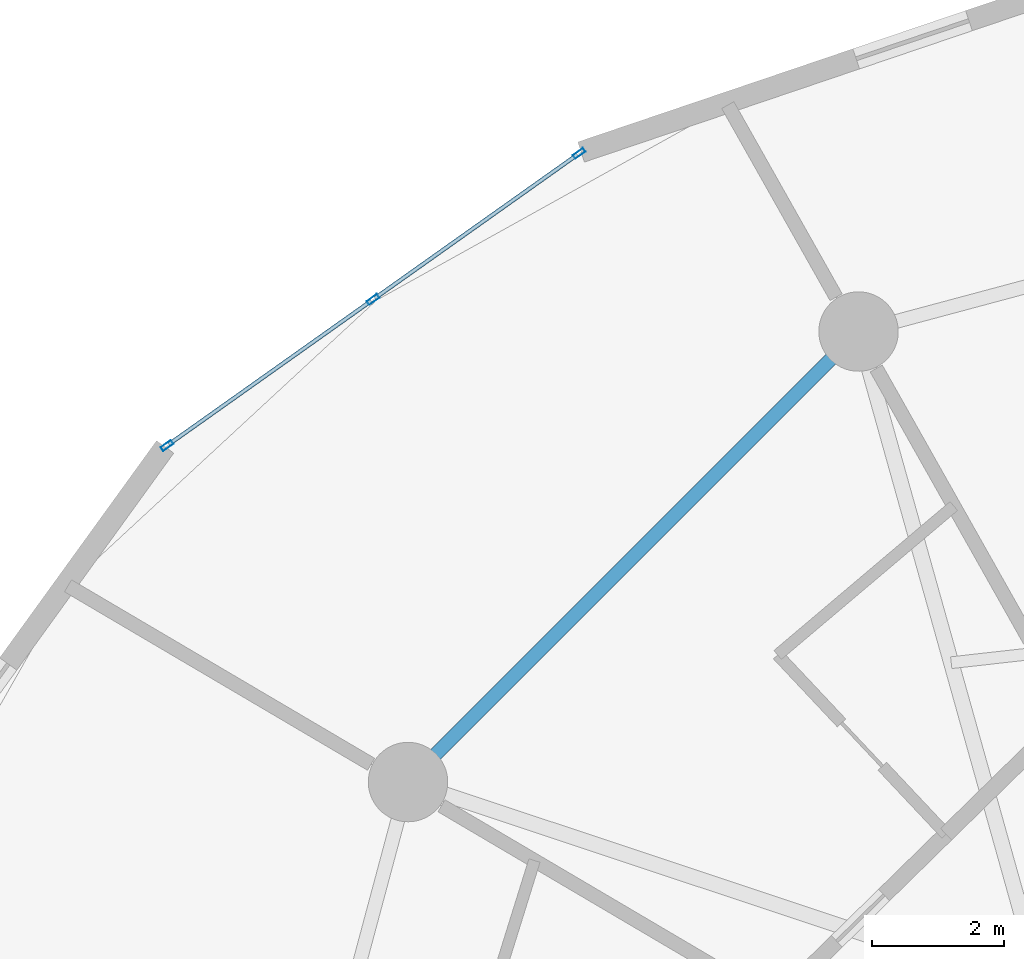
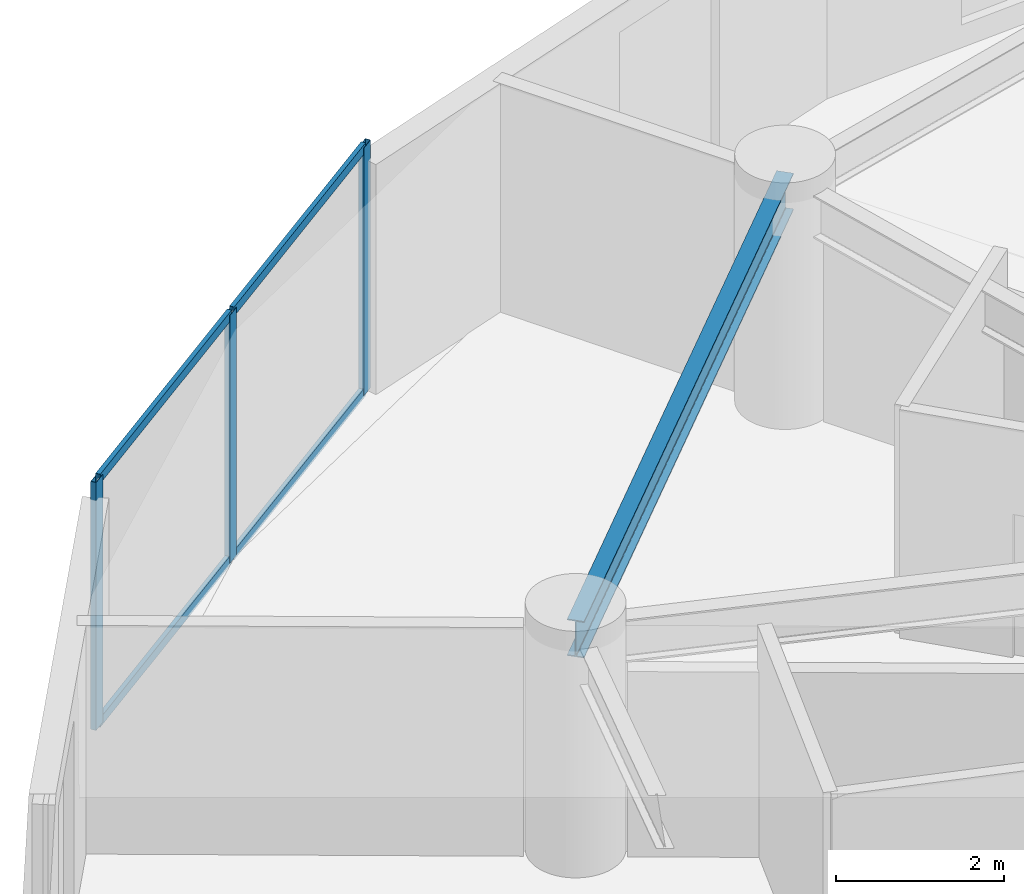
# One storey, part 13 of 26: 7 members, 1 beam, 1 element without a shape of its own.
"""IFC4 building model written with IfcOpenShell, lengths in metres."""

from ifc_helpers import new_model, si_unit, direction, frame, origin, origin_2d, place, context, subcontext, project, spatial, hollow_rectangle, i_section, extrude, source, transform, mapped, material, layer, layer_set, material_profile, profile_set, type_object, element, aggregate, save


model = new_model("IFC4")

# Units and contexts
model_context = context("Model", 3, precision=1e-05, world=origin(), true_north=direction((0.0, 1.0)))
body_context = subcontext(model_context, "Body", "Model", "MODEL_VIEW")
ifc_project = project(units=[si_unit("LENGTHUNIT", "METRE"), si_unit("AREAUNIT", "SQUARE_METRE"), si_unit("VOLUMEUNIT", "CUBIC_METRE"), si_unit("PLANEANGLEUNIT", "RADIAN"), si_unit("MASSUNIT", "GRAM", prefix="KILO")], contexts=[model_context])

# Site, building, storey
site_placement = place(None, origin())
site = spatial("IfcSite", under=ifc_project, at=site_placement, CompositionType="ELEMENT")
building_placement = place(site_placement, origin())
building = spatial("IfcBuilding", under=site, at=building_placement, Name="Solvirekh Grand Hotel", CompositionType="ELEMENT")
storey_placement = place(building_placement, frame((0.0, 0.0, 32.0)))
storey = spatial("IfcBuildingStorey", under=building, at=storey_placement, Name="L06", CompositionType="ELEMENT", Elevation=32.0)

# Beam
ifc_material_1 = material(Name="Steel S355", Category="steel")
ifc_material_profile_1 = material_profile(ifc_material_1, i_section(OverallWidth=0.208984375, OverallDepth=0.532958984375, WebThickness=0.010009765625, FlangeThickness=0.014892578125, FilletRadius=0.013916015625, at=origin_2d()), Name="W530X92")
ifc_profile_set_1 = profile_set([ifc_material_profile_1], Name="Steel S355")
beam_type = type_object("IfcBeamType", Name="Spandrel_Ring_W530", PredefinedType="SPANDREL", material=ifc_profile_set_1)
beam_placement = place(storey_placement, frame((-9.300048828125, 16.10791015625, 3.073974609375), z_axis=(-0.707106781187, -0.707106781187, 0.0), x_axis=(0.707106781187, -0.707106781187, 0.0)))
element("IfcBeam", 1, at=beam_placement, inside=storey, type_object=beam_type, Name="L06 perimeter spandrel beam 5", PredefinedType="SPANDREL", context=body_context, shape_type="SweptSolid", body=[
    extrude(i_section(OverallWidth=0.208984375, OverallDepth=0.532958984375, WebThickness=0.010009765625, FlangeThickness=0.014892578125, FilletRadius=0.013916015625, at=origin_2d()), origin(), (0.0, 0.0, 1.0), 9.627685546875),
])

# Curtain wall, members
ifc_material_2 = material(Name="Anodized Bronze Aluminium 6063-T6", Category="aluminium")
ifc_layer = layer(ifc_material_2, 0.18994140625)
ifc_layer_set = layer_set([ifc_layer], Name="Anodized Bronze Aluminium 6063-T6")
curtain_wall_type = type_object("IfcCurtainWallType", Name="CW_Sys2_LowZoneFlushBronzeCW", PredefinedType="NOTDEFINED", material=ifc_layer_set)
curtain_wall_placement = place(storey_placement, origin())
curtain_wall = element("IfcCurtainWall", 2, at=curtain_wall_placement, inside=storey, type_object=curtain_wall_type, Name="L06 unitised bronze-glass curtain wall CW-L06-C08", PredefinedType="NOTDEFINED")
ifc_material_profile_2 = material_profile(ifc_material_2, hollow_rectangle(XDim=0.070068359375, YDim=0.18994140625, WallThickness=0.0048828125, at=origin_2d()), Name="ALU RHS 190X70X5")
ifc_profile_set_2 = profile_set([ifc_material_profile_2], Name="Anodized Bronze Aluminium 6063-T6")
member_type_1 = type_object("IfcMemberType", Name="CWMullion_Sys2", PredefinedType="MULLION", material=ifc_profile_set_2)
shared_shape_1 = source(origin(), body_context, "Body", "SweptSolid", [
    extrude(hollow_rectangle(XDim=0.070068359375, YDim=0.18994140625, WallThickness=0.0048828125, at=origin_2d()), origin(), (0.0, 0.0, 1.0), 3.60009765625),
])
member_1_placement = place(storey_placement, frame((-13.521484375, 18.80078125, 0.0), z_axis=(0.0, 0.0, 1.0), x_axis=(0.578373813708, -0.815771862482, 0.0)))
member_1 = element("IfcMember", 3, at=member_1_placement, type_object=member_type_1, Name="U02 mullion 1", PredefinedType="MULLION", context=body_context, shape_type="MappedRepresentation", body=[
    mapped(shared_shape_1, transform((0.0, 0.0, 0.0), x_axis=(1.0, 0.0, 0.0), y_axis=(0.0, 1.0, 0.0), z_axis=(0.0, 0.0, 1.0), scale=1.0)),
])
member_2_placement = place(storey_placement, frame((-16.635498046875, 16.593017578125, 0.0), z_axis=(0.0, 0.0, 1.0), x_axis=(0.578373813708, -0.815771862482, 0.0)))
member_2 = element("IfcMember", 4, at=member_2_placement, type_object=member_type_1, Name="U02 mullion 2", PredefinedType="MULLION", context=body_context, shape_type="MappedRepresentation", body=[
    mapped(shared_shape_1, transform((0.0, 0.0, 0.0), x_axis=(1.0, 0.0, 0.0), y_axis=(0.0, 1.0, 0.0), z_axis=(0.0, 0.0, 1.0), scale=1.0)),
])
member_3_placement = place(storey_placement, frame((-19.74951171875, 14.38525390625, 0.0), z_axis=(0.0, 0.0, 1.0), x_axis=(0.578373813708, -0.815771862482, 0.0)))
member_3 = element("IfcMember", 5, at=member_3_placement, type_object=member_type_1, Name="U02 mullion 3", PredefinedType="MULLION", context=body_context, shape_type="MappedRepresentation", body=[
    mapped(shared_shape_1, transform((0.0, 0.0, 0.0), x_axis=(1.0, 0.0, 0.0), y_axis=(0.0, 1.0, 0.0), z_axis=(0.0, 0.0, 1.0), scale=1.0)),
])
ifc_material_profile_3 = material_profile(ifc_material_2, hollow_rectangle(XDim=0.06005859375, YDim=0.135009765625, WallThickness=0.00390625, at=origin_2d()), Name="ALU RHS 135X60X4")
ifc_profile_set_3 = profile_set([ifc_material_profile_3], Name="Anodized Bronze Aluminium 6063-T6")
member_type_2 = type_object("IfcMemberType", Name="CWTransom_Sys2", PredefinedType="USERDEFINED", material=ifc_profile_set_3)
shared_shape_2 = source(origin(), body_context, "Body", "SweptSolid", [
    extrude(hollow_rectangle(XDim=0.06005859375, YDim=0.135009765625, WallThickness=0.00390625, at=origin_2d()), origin(), (0.0, 0.0, 1.0), 3.747314453125),
])
member_4_placement = place(storey_placement, frame((-13.550048828125, 18.780517578125, 0.030029296875), z_axis=(-0.815779839774, -0.57836256191, 0.0), x_axis=(0.57836256191, -0.815779839774, 0.0)))
member_4 = element("IfcMember", 6, at=member_4_placement, type_object=member_type_2, Name="U02 transom 1.1", ObjectType="TRANSOM", PredefinedType="USERDEFINED", context=body_context, shape_type="MappedRepresentation", body=[
    mapped(shared_shape_2, transform((0.0, 0.0, 0.0), x_axis=(1.0, 0.0, 0.0), y_axis=(0.0, 1.0, 0.0), z_axis=(0.0, 0.0, 1.0), scale=1.0)),
])
member_5_placement = place(storey_placement, frame((-13.550048828125, 18.780517578125, 3.570068359375), z_axis=(-0.815779839774, -0.57836256191, 0.0), x_axis=(0.57836256191, -0.815779839774, 0.0)))
member_5 = element("IfcMember", 7, at=member_5_placement, type_object=member_type_2, Name="U02 transom 1.2", ObjectType="TRANSOM", PredefinedType="USERDEFINED", context=body_context, shape_type="MappedRepresentation", body=[
    mapped(shared_shape_2, transform((0.0, 0.0, 0.0), x_axis=(1.0, 0.0, 0.0), y_axis=(0.0, 1.0, 0.0), z_axis=(0.0, 0.0, 1.0), scale=1.0)),
])
member_6_placement = place(storey_placement, frame((-16.6640625, 16.57275390625, 0.030029296875), z_axis=(-0.815779839774, -0.57836256191, 0.0), x_axis=(0.57836256191, -0.815779839774, 0.0)))
member_6 = element("IfcMember", 8, at=member_6_placement, type_object=member_type_2, Name="U02 transom 2.1", ObjectType="TRANSOM", PredefinedType="USERDEFINED", context=body_context, shape_type="MappedRepresentation", body=[
    mapped(shared_shape_2, transform((0.0, 0.0, 0.0), x_axis=(1.0, 0.0, 0.0), y_axis=(0.0, 1.0, 0.0), z_axis=(0.0, 0.0, 1.0), scale=1.0)),
])
member_7_placement = place(storey_placement, frame((-16.6640625, 16.57275390625, 3.570068359375), z_axis=(-0.815779839774, -0.57836256191, 0.0), x_axis=(0.57836256191, -0.815779839774, 0.0)))
member_7 = element("IfcMember", 9, at=member_7_placement, type_object=member_type_2, Name="U02 transom 2.2", ObjectType="TRANSOM", PredefinedType="USERDEFINED", context=body_context, shape_type="MappedRepresentation", body=[
    mapped(shared_shape_2, transform((0.0, 0.0, 0.0), x_axis=(1.0, 0.0, 0.0), y_axis=(0.0, 1.0, 0.0), z_axis=(0.0, 0.0, 1.0), scale=1.0)),
])
aggregate(curtain_wall, [member_1, member_2, member_3, member_4, member_5, member_6, member_7])

save(model, "model.ifc")
